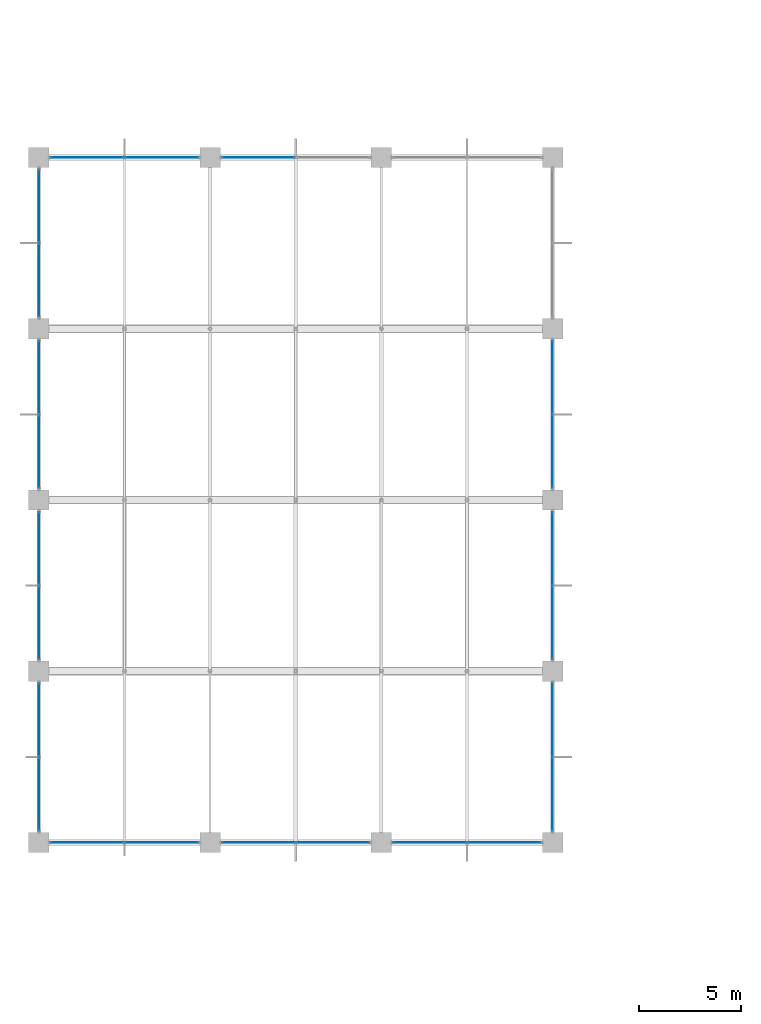
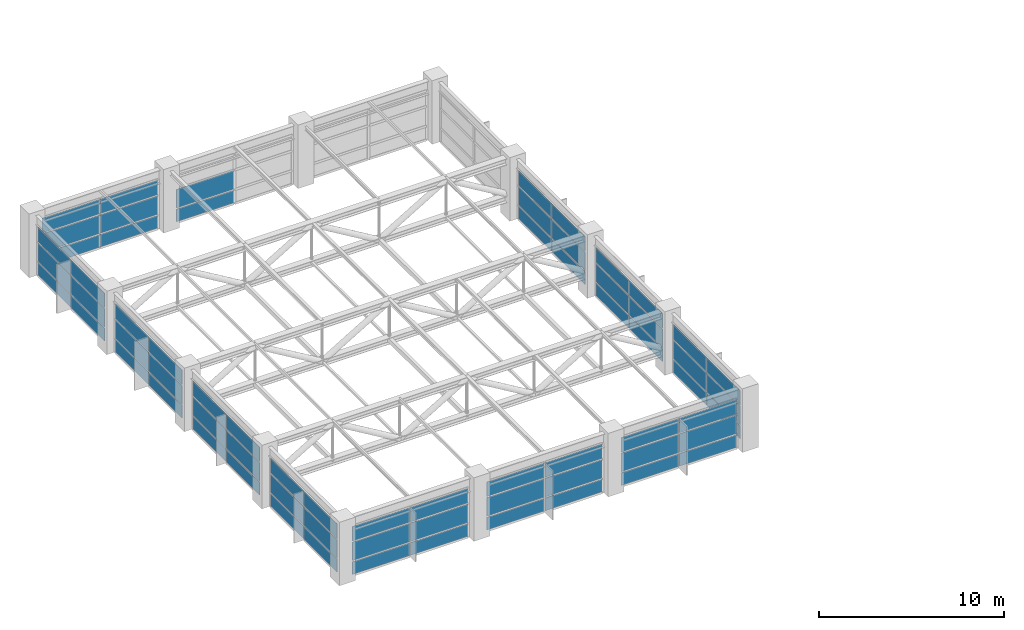
# One storey, part 25 of 32: 68 plates, 12 elements without a shape of their own.
"""IFC4 building model written with IfcOpenShell, lengths in metres."""

from ifc_helpers import new_model, si_unit, direction, frame, origin, origin_2d, place, context, subcontext, project, spatial, rectangle, extrude, material, layer, layer_set, type_object, element, aggregate, save


model = new_model("IFC4")

# Units and contexts
model_context = context("Model", 3, precision=1e-05, world=origin(), true_north=direction((0.0, 1.0)))
body_context = subcontext(model_context, "Body", "Model", "MODEL_VIEW")
ifc_project = project(units=[si_unit("LENGTHUNIT", "METRE"), si_unit("AREAUNIT", "SQUARE_METRE"), si_unit("VOLUMEUNIT", "CUBIC_METRE"), si_unit("PLANEANGLEUNIT", "RADIAN"), si_unit("MASSUNIT", "GRAM", prefix="KILO")], contexts=[model_context])

# Site, building, storey
site_placement = place(None, origin())
site = spatial("IfcSite", under=ifc_project, at=site_placement, CompositionType="ELEMENT")
building_placement = place(site_placement, origin())
building = spatial("IfcBuilding", under=site, at=building_placement, Name="Xuanlan Plaza Opera House", CompositionType="ELEMENT")
storey_placement = place(building_placement, frame((0.0, 0.0, 40.5)))
storey = spatial("IfcBuildingStorey", under=building, at=storey_placement, Name="L09", CompositionType="ELEMENT", Elevation=40.5)

# Curtain wall, plates
ifc_material_1 = material(Name="Anodised Aluminium 6063-T6 and Low-E Glass", Category="aluminium")
curtain_wall_type = type_object("IfcCurtainWallType", Name="ENV-CW-CW-05", PredefinedType="USERDEFINED", material=ifc_material_1)
curtain_wall_1_placement = place(storey_placement, origin())
curtain_wall_1 = element("IfcCurtainWall", 1, at=curtain_wall_1_placement, inside=storey, type_object=curtain_wall_type, Name="Acoustic Glazed Wall FLY-L09-01", ObjectType="ACOUSTIC GLAZED WALL", PredefinedType="USERDEFINED")
ifc_material_2 = material(Name="Laminated Acoustic Double Glazing", Category="glass")
ifc_layer = layer(ifc_material_2, 0.031982421875)
ifc_layer_set = layer_set([ifc_layer], Name="Laminated Acoustic Double Glazing")
plate_type = type_object("IfcPlateType", Name="ENV-CWP-02", PredefinedType="CURTAIN_PANEL", material=ifc_layer_set)
plate_1_placement = place(storey_placement, frame((44.37744140625, 42.0, 0.074951171875), z_axis=(0.0, 0.0, 1.0), x_axis=(1.0, 0.0, 0.0)))
plate_1 = element("IfcPlate", 2, at=plate_1_placement, type_object=plate_type, Name="CW-05 panel 1.1", PredefinedType="CURTAIN_PANEL", context=body_context, shape_type="SweptSolid", body=[
    extrude(rectangle(XDim=3.574951171875, YDim=0.031982421875, at=origin_2d()), origin(), (0.0, 0.0, 1.0), 0.83740234375),
])
plate_2_placement = place(storey_placement, frame((44.37744140625, 42.0, 0.987548828125), z_axis=(0.0, 0.0, 1.0), x_axis=(1.0, 0.0, 0.0)))
plate_2 = element("IfcPlate", 3, at=plate_2_placement, type_object=plate_type, Name="CW-05 panel 1.2", PredefinedType="CURTAIN_PANEL", context=body_context, shape_type="SweptSolid", body=[
    extrude(rectangle(XDim=3.574951171875, YDim=0.031982421875, at=origin_2d()), origin(), (0.0, 0.0, 1.0), 1.22509765625),
])
plate_3_placement = place(storey_placement, frame((44.37744140625, 42.0, 2.28759765625), z_axis=(0.0, 0.0, 1.0), x_axis=(1.0, 0.0, 0.0)))
plate_3 = element("IfcPlate", 4, at=plate_3_placement, type_object=plate_type, Name="CW-05 panel 1.3", PredefinedType="CURTAIN_PANEL", context=body_context, shape_type="SweptSolid", body=[
    extrude(rectangle(XDim=3.574951171875, YDim=0.031982421875, at=origin_2d()), origin(), (0.0, 0.0, 1.0), 0.95751953125),
])
plate_4_placement = place(storey_placement, frame((48.0224609375, 42.0, 0.074951171875), z_axis=(0.0, 0.0, 1.0), x_axis=(1.0, 0.0, 0.0)))
plate_4 = element("IfcPlate", 5, at=plate_4_placement, type_object=plate_type, Name="CW-05 panel 2.1", PredefinedType="CURTAIN_PANEL", context=body_context, shape_type="SweptSolid", body=[
    extrude(rectangle(XDim=3.574951171875, YDim=0.031982421875, at=origin_2d()), origin(), (0.0, 0.0, 1.0), 0.83740234375),
])
plate_5_placement = place(storey_placement, frame((48.0224609375, 42.0, 0.987548828125), z_axis=(0.0, 0.0, 1.0), x_axis=(1.0, 0.0, 0.0)))
plate_5 = element("IfcPlate", 6, at=plate_5_placement, type_object=plate_type, Name="CW-05 panel 2.2", PredefinedType="CURTAIN_PANEL", context=body_context, shape_type="SweptSolid", body=[
    extrude(rectangle(XDim=3.574951171875, YDim=0.031982421875, at=origin_2d()), origin(), (0.0, 0.0, 1.0), 1.22509765625),
])
plate_6_placement = place(storey_placement, frame((48.0224609375, 42.0, 2.28759765625), z_axis=(0.0, 0.0, 1.0), x_axis=(1.0, 0.0, 0.0)))
plate_6 = element("IfcPlate", 7, at=plate_6_placement, type_object=plate_type, Name="CW-05 panel 2.3", PredefinedType="CURTAIN_PANEL", context=body_context, shape_type="SweptSolid", body=[
    extrude(rectangle(XDim=3.574951171875, YDim=0.031982421875, at=origin_2d()), origin(), (0.0, 0.0, 1.0), 0.95751953125),
])
aggregate(curtain_wall_1, [plate_1, plate_2, plate_3, plate_4, plate_5, plate_6])

curtain_wall_2_placement = place(storey_placement, origin())
curtain_wall_2 = element("IfcCurtainWall", 8, at=curtain_wall_2_placement, inside=storey, type_object=curtain_wall_type, Name="Acoustic Glazed Wall FLY-L09-02", ObjectType="ACOUSTIC GLAZED WALL", PredefinedType="USERDEFINED")
plate_7_placement = place(storey_placement, frame((52.777587890625, 42.0, 0.074951171875), z_axis=(0.0, 0.0, 1.0), x_axis=(1.0, 0.0, 0.0)))
plate_7 = element("IfcPlate", 9, at=plate_7_placement, type_object=plate_type, Name="CW-05 panel 1.1", PredefinedType="CURTAIN_PANEL", context=body_context, shape_type="SweptSolid", body=[
    extrude(rectangle(XDim=3.574951171875, YDim=0.031982421875, at=origin_2d()), origin(), (0.0, 0.0, 1.0), 0.83740234375),
])
plate_8_placement = place(storey_placement, frame((52.777587890625, 42.0, 0.987548828125), z_axis=(0.0, 0.0, 1.0), x_axis=(1.0, 0.0, 0.0)))
plate_8 = element("IfcPlate", 10, at=plate_8_placement, type_object=plate_type, Name="CW-05 panel 1.2", PredefinedType="CURTAIN_PANEL", context=body_context, shape_type="SweptSolid", body=[
    extrude(rectangle(XDim=3.574951171875, YDim=0.031982421875, at=origin_2d()), origin(), (0.0, 0.0, 1.0), 1.22509765625),
])
plate_9_placement = place(storey_placement, frame((52.777587890625, 42.0, 2.28759765625), z_axis=(0.0, 0.0, 1.0), x_axis=(1.0, 0.0, 0.0)))
plate_9 = element("IfcPlate", 11, at=plate_9_placement, type_object=plate_type, Name="CW-05 panel 1.3", PredefinedType="CURTAIN_PANEL", context=body_context, shape_type="SweptSolid", body=[
    extrude(rectangle(XDim=3.574951171875, YDim=0.031982421875, at=origin_2d()), origin(), (0.0, 0.0, 1.0), 0.95751953125),
])
plate_10_placement = place(storey_placement, frame((56.422607421875, 42.0, 0.074951171875), z_axis=(0.0, 0.0, 1.0), x_axis=(1.0, 0.0, 0.0)))
plate_10 = element("IfcPlate", 12, at=plate_10_placement, type_object=plate_type, Name="CW-05 panel 2.1", PredefinedType="CURTAIN_PANEL", context=body_context, shape_type="SweptSolid", body=[
    extrude(rectangle(XDim=3.574951171875, YDim=0.031982421875, at=origin_2d()), origin(), (0.0, 0.0, 1.0), 0.83740234375),
])
plate_11_placement = place(storey_placement, frame((56.422607421875, 42.0, 0.987548828125), z_axis=(0.0, 0.0, 1.0), x_axis=(1.0, 0.0, 0.0)))
plate_11 = element("IfcPlate", 13, at=plate_11_placement, type_object=plate_type, Name="CW-05 panel 2.2", PredefinedType="CURTAIN_PANEL", context=body_context, shape_type="SweptSolid", body=[
    extrude(rectangle(XDim=3.574951171875, YDim=0.031982421875, at=origin_2d()), origin(), (0.0, 0.0, 1.0), 1.22509765625),
])
plate_12_placement = place(storey_placement, frame((56.422607421875, 42.0, 2.28759765625), z_axis=(0.0, 0.0, 1.0), x_axis=(1.0, 0.0, 0.0)))
plate_12 = element("IfcPlate", 14, at=plate_12_placement, type_object=plate_type, Name="CW-05 panel 2.3", PredefinedType="CURTAIN_PANEL", context=body_context, shape_type="SweptSolid", body=[
    extrude(rectangle(XDim=3.574951171875, YDim=0.031982421875, at=origin_2d()), origin(), (0.0, 0.0, 1.0), 0.95751953125),
])
aggregate(curtain_wall_2, [plate_7, plate_8, plate_9, plate_10, plate_11, plate_12])

curtain_wall_3_placement = place(storey_placement, origin())
curtain_wall_3 = element("IfcCurtainWall", 15, at=curtain_wall_3_placement, inside=storey, type_object=curtain_wall_type, Name="Acoustic Glazed Wall FLY-L09-03", ObjectType="ACOUSTIC GLAZED WALL", PredefinedType="USERDEFINED")
plate_13_placement = place(storey_placement, frame((61.177490234375, 42.0, 0.074951171875), z_axis=(0.0, 0.0, 1.0), x_axis=(1.0, 0.0, 0.0)))
plate_13 = element("IfcPlate", 16, at=plate_13_placement, type_object=plate_type, Name="CW-05 panel 1.1", PredefinedType="CURTAIN_PANEL", context=body_context, shape_type="SweptSolid", body=[
    extrude(rectangle(XDim=3.574951171875, YDim=0.031982421875, at=origin_2d()), origin(), (0.0, 0.0, 1.0), 0.83740234375),
])
plate_14_placement = place(storey_placement, frame((61.177490234375, 42.0, 0.987548828125), z_axis=(0.0, 0.0, 1.0), x_axis=(1.0, 0.0, 0.0)))
plate_14 = element("IfcPlate", 17, at=plate_14_placement, type_object=plate_type, Name="CW-05 panel 1.2", PredefinedType="CURTAIN_PANEL", context=body_context, shape_type="SweptSolid", body=[
    extrude(rectangle(XDim=3.574951171875, YDim=0.031982421875, at=origin_2d()), origin(), (0.0, 0.0, 1.0), 1.22509765625),
])
plate_15_placement = place(storey_placement, frame((61.177490234375, 42.0, 2.28759765625), z_axis=(0.0, 0.0, 1.0), x_axis=(1.0, 0.0, 0.0)))
plate_15 = element("IfcPlate", 18, at=plate_15_placement, type_object=plate_type, Name="CW-05 panel 1.3", PredefinedType="CURTAIN_PANEL", context=body_context, shape_type="SweptSolid", body=[
    extrude(rectangle(XDim=3.574951171875, YDim=0.031982421875, at=origin_2d()), origin(), (0.0, 0.0, 1.0), 0.95751953125),
])
plate_16_placement = place(storey_placement, frame((64.822509765625, 42.0, 0.074951171875), z_axis=(0.0, 0.0, 1.0), x_axis=(1.0, 0.0, 0.0)))
plate_16 = element("IfcPlate", 19, at=plate_16_placement, type_object=plate_type, Name="CW-05 panel 2.1", PredefinedType="CURTAIN_PANEL", context=body_context, shape_type="SweptSolid", body=[
    extrude(rectangle(XDim=3.574951171875, YDim=0.031982421875, at=origin_2d()), origin(), (0.0, 0.0, 1.0), 0.83740234375),
])
plate_17_placement = place(storey_placement, frame((64.822509765625, 42.0, 0.987548828125), z_axis=(0.0, 0.0, 1.0), x_axis=(1.0, 0.0, 0.0)))
plate_17 = element("IfcPlate", 20, at=plate_17_placement, type_object=plate_type, Name="CW-05 panel 2.2", PredefinedType="CURTAIN_PANEL", context=body_context, shape_type="SweptSolid", body=[
    extrude(rectangle(XDim=3.574951171875, YDim=0.031982421875, at=origin_2d()), origin(), (0.0, 0.0, 1.0), 1.22509765625),
])
plate_18_placement = place(storey_placement, frame((64.822509765625, 42.0, 2.28759765625), z_axis=(0.0, 0.0, 1.0), x_axis=(1.0, 0.0, 0.0)))
plate_18 = element("IfcPlate", 21, at=plate_18_placement, type_object=plate_type, Name="CW-05 panel 2.3", PredefinedType="CURTAIN_PANEL", context=body_context, shape_type="SweptSolid", body=[
    extrude(rectangle(XDim=3.574951171875, YDim=0.031982421875, at=origin_2d()), origin(), (0.0, 0.0, 1.0), 0.95751953125),
])
aggregate(curtain_wall_3, [plate_13, plate_14, plate_15, plate_16, plate_17, plate_18])

curtain_wall_4_placement = place(storey_placement, origin())
curtain_wall_4 = element("IfcCurtainWall", 22, at=curtain_wall_4_placement, inside=storey, type_object=curtain_wall_type, Name="Acoustic Glazed Wall FLY-L09-04", ObjectType="ACOUSTIC GLAZED WALL", PredefinedType="USERDEFINED")
plate_19_placement = place(storey_placement, frame((67.199951171875, 44.37744140625, 0.074951171875), z_axis=(0.0, 0.0, 1.0), x_axis=(0.0, 1.0, 0.0)))
plate_19 = element("IfcPlate", 23, at=plate_19_placement, type_object=plate_type, Name="CW-05 panel 1.1", PredefinedType="CURTAIN_PANEL", context=body_context, shape_type="SweptSolid", body=[
    extrude(rectangle(XDim=3.574951171875, YDim=0.031982421875, at=origin_2d()), origin(), (0.0, 0.0, 1.0), 0.83740234375),
])
plate_20_placement = place(storey_placement, frame((67.199951171875, 44.37744140625, 0.987548828125), z_axis=(0.0, 0.0, 1.0), x_axis=(0.0, 1.0, 0.0)))
plate_20 = element("IfcPlate", 24, at=plate_20_placement, type_object=plate_type, Name="CW-05 panel 1.2", PredefinedType="CURTAIN_PANEL", context=body_context, shape_type="SweptSolid", body=[
    extrude(rectangle(XDim=3.574951171875, YDim=0.031982421875, at=origin_2d()), origin(), (0.0, 0.0, 1.0), 1.22509765625),
])
plate_21_placement = place(storey_placement, frame((67.199951171875, 44.37744140625, 2.28759765625), z_axis=(0.0, 0.0, 1.0), x_axis=(0.0, 1.0, 0.0)))
plate_21 = element("IfcPlate", 25, at=plate_21_placement, type_object=plate_type, Name="CW-05 panel 1.3", PredefinedType="CURTAIN_PANEL", context=body_context, shape_type="SweptSolid", body=[
    extrude(rectangle(XDim=3.574951171875, YDim=0.031982421875, at=origin_2d()), origin(), (0.0, 0.0, 1.0), 0.95751953125),
])
plate_22_placement = place(storey_placement, frame((67.199951171875, 48.0224609375, 0.074951171875), z_axis=(0.0, 0.0, 1.0), x_axis=(0.0, 1.0, 0.0)))
plate_22 = element("IfcPlate", 26, at=plate_22_placement, type_object=plate_type, Name="CW-05 panel 2.1", PredefinedType="CURTAIN_PANEL", context=body_context, shape_type="SweptSolid", body=[
    extrude(rectangle(XDim=3.574951171875, YDim=0.031982421875, at=origin_2d()), origin(), (0.0, 0.0, 1.0), 0.83740234375),
])
plate_23_placement = place(storey_placement, frame((67.199951171875, 48.0224609375, 0.987548828125), z_axis=(0.0, 0.0, 1.0), x_axis=(0.0, 1.0, 0.0)))
plate_23 = element("IfcPlate", 27, at=plate_23_placement, type_object=plate_type, Name="CW-05 panel 2.2", PredefinedType="CURTAIN_PANEL", context=body_context, shape_type="SweptSolid", body=[
    extrude(rectangle(XDim=3.574951171875, YDim=0.031982421875, at=origin_2d()), origin(), (0.0, 0.0, 1.0), 1.22509765625),
])
plate_24_placement = place(storey_placement, frame((67.199951171875, 48.0224609375, 2.28759765625), z_axis=(0.0, 0.0, 1.0), x_axis=(0.0, 1.0, 0.0)))
plate_24 = element("IfcPlate", 28, at=plate_24_placement, type_object=plate_type, Name="CW-05 panel 2.3", PredefinedType="CURTAIN_PANEL", context=body_context, shape_type="SweptSolid", body=[
    extrude(rectangle(XDim=3.574951171875, YDim=0.031982421875, at=origin_2d()), origin(), (0.0, 0.0, 1.0), 0.95751953125),
])
aggregate(curtain_wall_4, [plate_19, plate_20, plate_21, plate_22, plate_23, plate_24])

curtain_wall_5_placement = place(storey_placement, origin())
curtain_wall_5 = element("IfcCurtainWall", 29, at=curtain_wall_5_placement, inside=storey, type_object=curtain_wall_type, Name="Acoustic Glazed Wall FLY-L09-05", ObjectType="ACOUSTIC GLAZED WALL", PredefinedType="USERDEFINED")
plate_25_placement = place(storey_placement, frame((67.199951171875, 52.777587890625, 0.074951171875), z_axis=(0.0, 0.0, 1.0), x_axis=(0.0, 1.0, 0.0)))
plate_25 = element("IfcPlate", 30, at=plate_25_placement, type_object=plate_type, Name="CW-05 panel 1.1", PredefinedType="CURTAIN_PANEL", context=body_context, shape_type="SweptSolid", body=[
    extrude(rectangle(XDim=3.574951171875, YDim=0.031982421875, at=origin_2d()), origin(), (0.0, 0.0, 1.0), 0.83740234375),
])
plate_26_placement = place(storey_placement, frame((67.199951171875, 52.777587890625, 0.987548828125), z_axis=(0.0, 0.0, 1.0), x_axis=(0.0, 1.0, 0.0)))
plate_26 = element("IfcPlate", 31, at=plate_26_placement, type_object=plate_type, Name="CW-05 panel 1.2", PredefinedType="CURTAIN_PANEL", context=body_context, shape_type="SweptSolid", body=[
    extrude(rectangle(XDim=3.574951171875, YDim=0.031982421875, at=origin_2d()), origin(), (0.0, 0.0, 1.0), 1.22509765625),
])
plate_27_placement = place(storey_placement, frame((67.199951171875, 52.777587890625, 2.28759765625), z_axis=(0.0, 0.0, 1.0), x_axis=(0.0, 1.0, 0.0)))
plate_27 = element("IfcPlate", 32, at=plate_27_placement, type_object=plate_type, Name="CW-05 panel 1.3", PredefinedType="CURTAIN_PANEL", context=body_context, shape_type="SweptSolid", body=[
    extrude(rectangle(XDim=3.574951171875, YDim=0.031982421875, at=origin_2d()), origin(), (0.0, 0.0, 1.0), 0.95751953125),
])
plate_28_placement = place(storey_placement, frame((67.199951171875, 56.422607421875, 0.074951171875), z_axis=(0.0, 0.0, 1.0), x_axis=(0.0, 1.0, 0.0)))
plate_28 = element("IfcPlate", 33, at=plate_28_placement, type_object=plate_type, Name="CW-05 panel 2.1", PredefinedType="CURTAIN_PANEL", context=body_context, shape_type="SweptSolid", body=[
    extrude(rectangle(XDim=3.574951171875, YDim=0.031982421875, at=origin_2d()), origin(), (0.0, 0.0, 1.0), 0.83740234375),
])
plate_29_placement = place(storey_placement, frame((67.199951171875, 56.422607421875, 0.987548828125), z_axis=(0.0, 0.0, 1.0), x_axis=(0.0, 1.0, 0.0)))
plate_29 = element("IfcPlate", 34, at=plate_29_placement, type_object=plate_type, Name="CW-05 panel 2.2", PredefinedType="CURTAIN_PANEL", context=body_context, shape_type="SweptSolid", body=[
    extrude(rectangle(XDim=3.574951171875, YDim=0.031982421875, at=origin_2d()), origin(), (0.0, 0.0, 1.0), 1.22509765625),
])
plate_30_placement = place(storey_placement, frame((67.199951171875, 56.422607421875, 2.28759765625), z_axis=(0.0, 0.0, 1.0), x_axis=(0.0, 1.0, 0.0)))
plate_30 = element("IfcPlate", 35, at=plate_30_placement, type_object=plate_type, Name="CW-05 panel 2.3", PredefinedType="CURTAIN_PANEL", context=body_context, shape_type="SweptSolid", body=[
    extrude(rectangle(XDim=3.574951171875, YDim=0.031982421875, at=origin_2d()), origin(), (0.0, 0.0, 1.0), 0.95751953125),
])
aggregate(curtain_wall_5, [plate_25, plate_26, plate_27, plate_28, plate_29, plate_30])

curtain_wall_6_placement = place(storey_placement, origin())
curtain_wall_6 = element("IfcCurtainWall", 36, at=curtain_wall_6_placement, inside=storey, type_object=curtain_wall_type, Name="Acoustic Glazed Wall FLY-L09-06", ObjectType="ACOUSTIC GLAZED WALL", PredefinedType="USERDEFINED")
plate_31_placement = place(storey_placement, frame((67.199951171875, 61.177490234375, 0.074951171875), z_axis=(0.0, 0.0, 1.0), x_axis=(0.0, 1.0, 0.0)))
plate_31 = element("IfcPlate", 37, at=plate_31_placement, type_object=plate_type, Name="CW-05 panel 1.1", PredefinedType="CURTAIN_PANEL", context=body_context, shape_type="SweptSolid", body=[
    extrude(rectangle(XDim=3.574951171875, YDim=0.031982421875, at=origin_2d()), origin(), (0.0, 0.0, 1.0), 0.83740234375),
])
plate_32_placement = place(storey_placement, frame((67.199951171875, 61.177490234375, 0.987548828125), z_axis=(0.0, 0.0, 1.0), x_axis=(0.0, 1.0, 0.0)))
plate_32 = element("IfcPlate", 38, at=plate_32_placement, type_object=plate_type, Name="CW-05 panel 1.2", PredefinedType="CURTAIN_PANEL", context=body_context, shape_type="SweptSolid", body=[
    extrude(rectangle(XDim=3.574951171875, YDim=0.031982421875, at=origin_2d()), origin(), (0.0, 0.0, 1.0), 1.22509765625),
])
plate_33_placement = place(storey_placement, frame((67.199951171875, 61.177490234375, 2.28759765625), z_axis=(0.0, 0.0, 1.0), x_axis=(0.0, 1.0, 0.0)))
plate_33 = element("IfcPlate", 39, at=plate_33_placement, type_object=plate_type, Name="CW-05 panel 1.3", PredefinedType="CURTAIN_PANEL", context=body_context, shape_type="SweptSolid", body=[
    extrude(rectangle(XDim=3.574951171875, YDim=0.031982421875, at=origin_2d()), origin(), (0.0, 0.0, 1.0), 0.95751953125),
])
plate_34_placement = place(storey_placement, frame((67.199951171875, 64.822509765625, 0.074951171875), z_axis=(0.0, 0.0, 1.0), x_axis=(0.0, 1.0, 0.0)))
plate_34 = element("IfcPlate", 40, at=plate_34_placement, type_object=plate_type, Name="CW-05 panel 2.1", PredefinedType="CURTAIN_PANEL", context=body_context, shape_type="SweptSolid", body=[
    extrude(rectangle(XDim=3.574951171875, YDim=0.031982421875, at=origin_2d()), origin(), (0.0, 0.0, 1.0), 0.83740234375),
])
plate_35_placement = place(storey_placement, frame((67.199951171875, 64.822509765625, 0.987548828125), z_axis=(0.0, 0.0, 1.0), x_axis=(0.0, 1.0, 0.0)))
plate_35 = element("IfcPlate", 41, at=plate_35_placement, type_object=plate_type, Name="CW-05 panel 2.2", PredefinedType="CURTAIN_PANEL", context=body_context, shape_type="SweptSolid", body=[
    extrude(rectangle(XDim=3.574951171875, YDim=0.031982421875, at=origin_2d()), origin(), (0.0, 0.0, 1.0), 1.22509765625),
])
plate_36_placement = place(storey_placement, frame((67.199951171875, 64.822509765625, 2.28759765625), z_axis=(0.0, 0.0, 1.0), x_axis=(0.0, 1.0, 0.0)))
plate_36 = element("IfcPlate", 42, at=plate_36_placement, type_object=plate_type, Name="CW-05 panel 2.3", PredefinedType="CURTAIN_PANEL", context=body_context, shape_type="SweptSolid", body=[
    extrude(rectangle(XDim=3.574951171875, YDim=0.031982421875, at=origin_2d()), origin(), (0.0, 0.0, 1.0), 0.95751953125),
])
aggregate(curtain_wall_6, [plate_31, plate_32, plate_33, plate_34, plate_35, plate_36])

curtain_wall_7_placement = place(storey_placement, origin())
curtain_wall_7 = element("IfcCurtainWall", 43, at=curtain_wall_7_placement, inside=storey, type_object=curtain_wall_type, Name="Acoustic Glazed Wall FLY-L09-09", ObjectType="ACOUSTIC GLAZED WALL", PredefinedType="USERDEFINED")
plate_37_placement = place(storey_placement, frame((52.777587890625, 75.60009765625, 0.074951171875), z_axis=(0.0, 0.0, 1.0), x_axis=(-1.0, 0.0, 0.0)))
plate_37 = element("IfcPlate", 44, at=plate_37_placement, type_object=plate_type, Name="CW-05 panel 2.1", PredefinedType="CURTAIN_PANEL", context=body_context, shape_type="SweptSolid", body=[
    extrude(rectangle(XDim=3.574951171875, YDim=0.031982421875, at=origin_2d()), origin(), (0.0, 0.0, 1.0), 0.83740234375),
])
plate_38_placement = place(storey_placement, frame((52.777587890625, 75.60009765625, 0.987548828125), z_axis=(0.0, 0.0, 1.0), x_axis=(-1.0, 0.0, 0.0)))
plate_38 = element("IfcPlate", 45, at=plate_38_placement, type_object=plate_type, Name="CW-05 panel 2.2", PredefinedType="CURTAIN_PANEL", context=body_context, shape_type="SweptSolid", body=[
    extrude(rectangle(XDim=3.574951171875, YDim=0.031982421875, at=origin_2d()), origin(), (0.0, 0.0, 1.0), 1.22509765625),
])
aggregate(curtain_wall_7, [plate_37, plate_38])

curtain_wall_8_placement = place(storey_placement, origin())
curtain_wall_8 = element("IfcCurtainWall", 46, at=curtain_wall_8_placement, inside=storey, type_object=curtain_wall_type, Name="Acoustic Glazed Wall FLY-L09-10", ObjectType="ACOUSTIC GLAZED WALL", PredefinedType="USERDEFINED")
plate_39_placement = place(storey_placement, frame((48.0224609375, 75.60009765625, 0.074951171875), z_axis=(0.0, 0.0, 1.0), x_axis=(-1.0, 0.0, 0.0)))
plate_39 = element("IfcPlate", 47, at=plate_39_placement, type_object=plate_type, Name="CW-05 panel 1.1", PredefinedType="CURTAIN_PANEL", context=body_context, shape_type="SweptSolid", body=[
    extrude(rectangle(XDim=3.574951171875, YDim=0.031982421875, at=origin_2d()), origin(), (0.0, 0.0, 1.0), 0.83740234375),
])
plate_40_placement = place(storey_placement, frame((48.0224609375, 75.60009765625, 0.987548828125), z_axis=(0.0, 0.0, 1.0), x_axis=(-1.0, 0.0, 0.0)))
plate_40 = element("IfcPlate", 48, at=plate_40_placement, type_object=plate_type, Name="CW-05 panel 1.2", PredefinedType="CURTAIN_PANEL", context=body_context, shape_type="SweptSolid", body=[
    extrude(rectangle(XDim=3.574951171875, YDim=0.031982421875, at=origin_2d()), origin(), (0.0, 0.0, 1.0), 1.22509765625),
])
plate_41_placement = place(storey_placement, frame((48.0224609375, 75.60009765625, 2.28759765625), z_axis=(0.0, 0.0, 1.0), x_axis=(-1.0, 0.0, 0.0)))
plate_41 = element("IfcPlate", 49, at=plate_41_placement, type_object=plate_type, Name="CW-05 panel 1.3", PredefinedType="CURTAIN_PANEL", context=body_context, shape_type="SweptSolid", body=[
    extrude(rectangle(XDim=3.574951171875, YDim=0.031982421875, at=origin_2d()), origin(), (0.0, 0.0, 1.0), 0.95751953125),
])
plate_42_placement = place(storey_placement, frame((44.37744140625, 75.60009765625, 0.074951171875), z_axis=(0.0, 0.0, 1.0), x_axis=(-1.0, 0.0, 0.0)))
plate_42 = element("IfcPlate", 50, at=plate_42_placement, type_object=plate_type, Name="CW-05 panel 2.1", PredefinedType="CURTAIN_PANEL", context=body_context, shape_type="SweptSolid", body=[
    extrude(rectangle(XDim=3.574951171875, YDim=0.031982421875, at=origin_2d()), origin(), (0.0, 0.0, 1.0), 0.83740234375),
])
plate_43_placement = place(storey_placement, frame((44.37744140625, 75.60009765625, 0.987548828125), z_axis=(0.0, 0.0, 1.0), x_axis=(-1.0, 0.0, 0.0)))
plate_43 = element("IfcPlate", 51, at=plate_43_placement, type_object=plate_type, Name="CW-05 panel 2.2", PredefinedType="CURTAIN_PANEL", context=body_context, shape_type="SweptSolid", body=[
    extrude(rectangle(XDim=3.574951171875, YDim=0.031982421875, at=origin_2d()), origin(), (0.0, 0.0, 1.0), 1.22509765625),
])
plate_44_placement = place(storey_placement, frame((44.37744140625, 75.60009765625, 2.28759765625), z_axis=(0.0, 0.0, 1.0), x_axis=(-1.0, 0.0, 0.0)))
plate_44 = element("IfcPlate", 52, at=plate_44_placement, type_object=plate_type, Name="CW-05 panel 2.3", PredefinedType="CURTAIN_PANEL", context=body_context, shape_type="SweptSolid", body=[
    extrude(rectangle(XDim=3.574951171875, YDim=0.031982421875, at=origin_2d()), origin(), (0.0, 0.0, 1.0), 0.95751953125),
])
aggregate(curtain_wall_8, [plate_39, plate_40, plate_41, plate_42, plate_43, plate_44])

curtain_wall_9_placement = place(storey_placement, origin())
curtain_wall_9 = element("IfcCurtainWall", 53, at=curtain_wall_9_placement, inside=storey, type_object=curtain_wall_type, Name="Acoustic Glazed Wall FLY-L09-11", ObjectType="ACOUSTIC GLAZED WALL", PredefinedType="USERDEFINED")
plate_45_placement = place(storey_placement, frame((42.0, 73.222412109375, 0.074951171875), z_axis=(0.0, 0.0, 1.0), x_axis=(0.0, -1.0, 0.0)))
plate_45 = element("IfcPlate", 54, at=plate_45_placement, type_object=plate_type, Name="CW-05 panel 1.1", PredefinedType="CURTAIN_PANEL", context=body_context, shape_type="SweptSolid", body=[
    extrude(rectangle(XDim=3.574951171875, YDim=0.031982421875, at=origin_2d()), origin(), (0.0, 0.0, 1.0), 0.83740234375),
])
plate_46_placement = place(storey_placement, frame((42.0, 73.222412109375, 0.987548828125), z_axis=(0.0, 0.0, 1.0), x_axis=(0.0, -1.0, 0.0)))
plate_46 = element("IfcPlate", 55, at=plate_46_placement, type_object=plate_type, Name="CW-05 panel 1.2", PredefinedType="CURTAIN_PANEL", context=body_context, shape_type="SweptSolid", body=[
    extrude(rectangle(XDim=3.574951171875, YDim=0.031982421875, at=origin_2d()), origin(), (0.0, 0.0, 1.0), 1.22509765625),
])
plate_47_placement = place(storey_placement, frame((42.0, 73.222412109375, 2.28759765625), z_axis=(0.0, 0.0, 1.0), x_axis=(0.0, -1.0, 0.0)))
plate_47 = element("IfcPlate", 56, at=plate_47_placement, type_object=plate_type, Name="CW-05 panel 1.3", PredefinedType="CURTAIN_PANEL", context=body_context, shape_type="SweptSolid", body=[
    extrude(rectangle(XDim=3.574951171875, YDim=0.031982421875, at=origin_2d()), origin(), (0.0, 0.0, 1.0), 0.95751953125),
])
plate_48_placement = place(storey_placement, frame((42.0, 69.577392578125, 0.074951171875), z_axis=(0.0, 0.0, 1.0), x_axis=(0.0, -1.0, 0.0)))
plate_48 = element("IfcPlate", 57, at=plate_48_placement, type_object=plate_type, Name="CW-05 panel 2.1", PredefinedType="CURTAIN_PANEL", context=body_context, shape_type="SweptSolid", body=[
    extrude(rectangle(XDim=3.574951171875, YDim=0.031982421875, at=origin_2d()), origin(), (0.0, 0.0, 1.0), 0.83740234375),
])
plate_49_placement = place(storey_placement, frame((42.0, 69.577392578125, 0.987548828125), z_axis=(0.0, 0.0, 1.0), x_axis=(0.0, -1.0, 0.0)))
plate_49 = element("IfcPlate", 58, at=plate_49_placement, type_object=plate_type, Name="CW-05 panel 2.2", PredefinedType="CURTAIN_PANEL", context=body_context, shape_type="SweptSolid", body=[
    extrude(rectangle(XDim=3.574951171875, YDim=0.031982421875, at=origin_2d()), origin(), (0.0, 0.0, 1.0), 1.22509765625),
])
plate_50_placement = place(storey_placement, frame((42.0, 69.577392578125, 2.28759765625), z_axis=(0.0, 0.0, 1.0), x_axis=(0.0, -1.0, 0.0)))
plate_50 = element("IfcPlate", 59, at=plate_50_placement, type_object=plate_type, Name="CW-05 panel 2.3", PredefinedType="CURTAIN_PANEL", context=body_context, shape_type="SweptSolid", body=[
    extrude(rectangle(XDim=3.574951171875, YDim=0.031982421875, at=origin_2d()), origin(), (0.0, 0.0, 1.0), 0.95751953125),
])
aggregate(curtain_wall_9, [plate_45, plate_46, plate_47, plate_48, plate_49, plate_50])

curtain_wall_10_placement = place(storey_placement, origin())
curtain_wall_10 = element("IfcCurtainWall", 60, at=curtain_wall_10_placement, inside=storey, type_object=curtain_wall_type, Name="Acoustic Glazed Wall FLY-L09-12", ObjectType="ACOUSTIC GLAZED WALL", PredefinedType="USERDEFINED")
plate_51_placement = place(storey_placement, frame((42.0, 64.822509765625, 0.074951171875), z_axis=(0.0, 0.0, 1.0), x_axis=(0.0, -1.0, 0.0)))
plate_51 = element("IfcPlate", 61, at=plate_51_placement, type_object=plate_type, Name="CW-05 panel 1.1", PredefinedType="CURTAIN_PANEL", context=body_context, shape_type="SweptSolid", body=[
    extrude(rectangle(XDim=3.574951171875, YDim=0.031982421875, at=origin_2d()), origin(), (0.0, 0.0, 1.0), 0.83740234375),
])
plate_52_placement = place(storey_placement, frame((42.0, 64.822509765625, 0.987548828125), z_axis=(0.0, 0.0, 1.0), x_axis=(0.0, -1.0, 0.0)))
plate_52 = element("IfcPlate", 62, at=plate_52_placement, type_object=plate_type, Name="CW-05 panel 1.2", PredefinedType="CURTAIN_PANEL", context=body_context, shape_type="SweptSolid", body=[
    extrude(rectangle(XDim=3.574951171875, YDim=0.031982421875, at=origin_2d()), origin(), (0.0, 0.0, 1.0), 1.22509765625),
])
plate_53_placement = place(storey_placement, frame((42.0, 64.822509765625, 2.28759765625), z_axis=(0.0, 0.0, 1.0), x_axis=(0.0, -1.0, 0.0)))
plate_53 = element("IfcPlate", 63, at=plate_53_placement, type_object=plate_type, Name="CW-05 panel 1.3", PredefinedType="CURTAIN_PANEL", context=body_context, shape_type="SweptSolid", body=[
    extrude(rectangle(XDim=3.574951171875, YDim=0.031982421875, at=origin_2d()), origin(), (0.0, 0.0, 1.0), 0.95751953125),
])
plate_54_placement = place(storey_placement, frame((42.0, 61.177490234375, 0.074951171875), z_axis=(0.0, 0.0, 1.0), x_axis=(0.0, -1.0, 0.0)))
plate_54 = element("IfcPlate", 64, at=plate_54_placement, type_object=plate_type, Name="CW-05 panel 2.1", PredefinedType="CURTAIN_PANEL", context=body_context, shape_type="SweptSolid", body=[
    extrude(rectangle(XDim=3.574951171875, YDim=0.031982421875, at=origin_2d()), origin(), (0.0, 0.0, 1.0), 0.83740234375),
])
plate_55_placement = place(storey_placement, frame((42.0, 61.177490234375, 0.987548828125), z_axis=(0.0, 0.0, 1.0), x_axis=(0.0, -1.0, 0.0)))
plate_55 = element("IfcPlate", 65, at=plate_55_placement, type_object=plate_type, Name="CW-05 panel 2.2", PredefinedType="CURTAIN_PANEL", context=body_context, shape_type="SweptSolid", body=[
    extrude(rectangle(XDim=3.574951171875, YDim=0.031982421875, at=origin_2d()), origin(), (0.0, 0.0, 1.0), 1.22509765625),
])
plate_56_placement = place(storey_placement, frame((42.0, 61.177490234375, 2.28759765625), z_axis=(0.0, 0.0, 1.0), x_axis=(0.0, -1.0, 0.0)))
plate_56 = element("IfcPlate", 66, at=plate_56_placement, type_object=plate_type, Name="CW-05 panel 2.3", PredefinedType="CURTAIN_PANEL", context=body_context, shape_type="SweptSolid", body=[
    extrude(rectangle(XDim=3.574951171875, YDim=0.031982421875, at=origin_2d()), origin(), (0.0, 0.0, 1.0), 0.95751953125),
])
aggregate(curtain_wall_10, [plate_51, plate_52, plate_53, plate_54, plate_55, plate_56])

curtain_wall_11_placement = place(storey_placement, origin())
curtain_wall_11 = element("IfcCurtainWall", 67, at=curtain_wall_11_placement, inside=storey, type_object=curtain_wall_type, Name="Acoustic Glazed Wall FLY-L09-13", ObjectType="ACOUSTIC GLAZED WALL", PredefinedType="USERDEFINED")
plate_57_placement = place(storey_placement, frame((42.0, 56.422607421875, 0.074951171875), z_axis=(0.0, 0.0, 1.0), x_axis=(0.0, -1.0, 0.0)))
plate_57 = element("IfcPlate", 68, at=plate_57_placement, type_object=plate_type, Name="CW-05 panel 1.1", PredefinedType="CURTAIN_PANEL", context=body_context, shape_type="SweptSolid", body=[
    extrude(rectangle(XDim=3.574951171875, YDim=0.031982421875, at=origin_2d()), origin(), (0.0, 0.0, 1.0), 0.83740234375),
])
plate_58_placement = place(storey_placement, frame((42.0, 56.422607421875, 0.987548828125), z_axis=(0.0, 0.0, 1.0), x_axis=(0.0, -1.0, 0.0)))
plate_58 = element("IfcPlate", 69, at=plate_58_placement, type_object=plate_type, Name="CW-05 panel 1.2", PredefinedType="CURTAIN_PANEL", context=body_context, shape_type="SweptSolid", body=[
    extrude(rectangle(XDim=3.574951171875, YDim=0.031982421875, at=origin_2d()), origin(), (0.0, 0.0, 1.0), 1.22509765625),
])
plate_59_placement = place(storey_placement, frame((42.0, 56.422607421875, 2.28759765625), z_axis=(0.0, 0.0, 1.0), x_axis=(0.0, -1.0, 0.0)))
plate_59 = element("IfcPlate", 70, at=plate_59_placement, type_object=plate_type, Name="CW-05 panel 1.3", PredefinedType="CURTAIN_PANEL", context=body_context, shape_type="SweptSolid", body=[
    extrude(rectangle(XDim=3.574951171875, YDim=0.031982421875, at=origin_2d()), origin(), (0.0, 0.0, 1.0), 0.95751953125),
])
plate_60_placement = place(storey_placement, frame((42.0, 52.777587890625, 0.074951171875), z_axis=(0.0, 0.0, 1.0), x_axis=(0.0, -1.0, 0.0)))
plate_60 = element("IfcPlate", 71, at=plate_60_placement, type_object=plate_type, Name="CW-05 panel 2.1", PredefinedType="CURTAIN_PANEL", context=body_context, shape_type="SweptSolid", body=[
    extrude(rectangle(XDim=3.574951171875, YDim=0.031982421875, at=origin_2d()), origin(), (0.0, 0.0, 1.0), 0.83740234375),
])
plate_61_placement = place(storey_placement, frame((42.0, 52.777587890625, 0.987548828125), z_axis=(0.0, 0.0, 1.0), x_axis=(0.0, -1.0, 0.0)))
plate_61 = element("IfcPlate", 72, at=plate_61_placement, type_object=plate_type, Name="CW-05 panel 2.2", PredefinedType="CURTAIN_PANEL", context=body_context, shape_type="SweptSolid", body=[
    extrude(rectangle(XDim=3.574951171875, YDim=0.031982421875, at=origin_2d()), origin(), (0.0, 0.0, 1.0), 1.22509765625),
])
plate_62_placement = place(storey_placement, frame((42.0, 52.777587890625, 2.28759765625), z_axis=(0.0, 0.0, 1.0), x_axis=(0.0, -1.0, 0.0)))
plate_62 = element("IfcPlate", 73, at=plate_62_placement, type_object=plate_type, Name="CW-05 panel 2.3", PredefinedType="CURTAIN_PANEL", context=body_context, shape_type="SweptSolid", body=[
    extrude(rectangle(XDim=3.574951171875, YDim=0.031982421875, at=origin_2d()), origin(), (0.0, 0.0, 1.0), 0.95751953125),
])
aggregate(curtain_wall_11, [plate_57, plate_58, plate_59, plate_60, plate_61, plate_62])

curtain_wall_12_placement = place(storey_placement, origin())
curtain_wall_12 = element("IfcCurtainWall", 74, at=curtain_wall_12_placement, inside=storey, type_object=curtain_wall_type, Name="Acoustic Glazed Wall FLY-L09-14", ObjectType="ACOUSTIC GLAZED WALL", PredefinedType="USERDEFINED")
plate_63_placement = place(storey_placement, frame((42.0, 48.0224609375, 0.074951171875), z_axis=(0.0, 0.0, 1.0), x_axis=(0.0, -1.0, 0.0)))
plate_63 = element("IfcPlate", 75, at=plate_63_placement, type_object=plate_type, Name="CW-05 panel 1.1", PredefinedType="CURTAIN_PANEL", context=body_context, shape_type="SweptSolid", body=[
    extrude(rectangle(XDim=3.574951171875, YDim=0.031982421875, at=origin_2d()), origin(), (0.0, 0.0, 1.0), 0.83740234375),
])
plate_64_placement = place(storey_placement, frame((42.0, 48.0224609375, 0.987548828125), z_axis=(0.0, 0.0, 1.0), x_axis=(0.0, -1.0, 0.0)))
plate_64 = element("IfcPlate", 76, at=plate_64_placement, type_object=plate_type, Name="CW-05 panel 1.2", PredefinedType="CURTAIN_PANEL", context=body_context, shape_type="SweptSolid", body=[
    extrude(rectangle(XDim=3.574951171875, YDim=0.031982421875, at=origin_2d()), origin(), (0.0, 0.0, 1.0), 1.22509765625),
])
plate_65_placement = place(storey_placement, frame((42.0, 48.0224609375, 2.28759765625), z_axis=(0.0, 0.0, 1.0), x_axis=(0.0, -1.0, 0.0)))
plate_65 = element("IfcPlate", 77, at=plate_65_placement, type_object=plate_type, Name="CW-05 panel 1.3", PredefinedType="CURTAIN_PANEL", context=body_context, shape_type="SweptSolid", body=[
    extrude(rectangle(XDim=3.574951171875, YDim=0.031982421875, at=origin_2d()), origin(), (0.0, 0.0, 1.0), 0.95751953125),
])
plate_66_placement = place(storey_placement, frame((42.0, 44.37744140625, 0.074951171875), z_axis=(0.0, 0.0, 1.0), x_axis=(0.0, -1.0, 0.0)))
plate_66 = element("IfcPlate", 78, at=plate_66_placement, type_object=plate_type, Name="CW-05 panel 2.1", PredefinedType="CURTAIN_PANEL", context=body_context, shape_type="SweptSolid", body=[
    extrude(rectangle(XDim=3.574951171875, YDim=0.031982421875, at=origin_2d()), origin(), (0.0, 0.0, 1.0), 0.83740234375),
])
plate_67_placement = place(storey_placement, frame((42.0, 44.37744140625, 0.987548828125), z_axis=(0.0, 0.0, 1.0), x_axis=(0.0, -1.0, 0.0)))
plate_67 = element("IfcPlate", 79, at=plate_67_placement, type_object=plate_type, Name="CW-05 panel 2.2", PredefinedType="CURTAIN_PANEL", context=body_context, shape_type="SweptSolid", body=[
    extrude(rectangle(XDim=3.574951171875, YDim=0.031982421875, at=origin_2d()), origin(), (0.0, 0.0, 1.0), 1.22509765625),
])
plate_68_placement = place(storey_placement, frame((42.0, 44.37744140625, 2.28759765625), z_axis=(0.0, 0.0, 1.0), x_axis=(0.0, -1.0, 0.0)))
plate_68 = element("IfcPlate", 80, at=plate_68_placement, type_object=plate_type, Name="CW-05 panel 2.3", PredefinedType="CURTAIN_PANEL", context=body_context, shape_type="SweptSolid", body=[
    extrude(rectangle(XDim=3.574951171875, YDim=0.031982421875, at=origin_2d()), origin(), (0.0, 0.0, 1.0), 0.95751953125),
])
aggregate(curtain_wall_12, [plate_63, plate_64, plate_65, plate_66, plate_67, plate_68])

save(model, "model.ifc")
